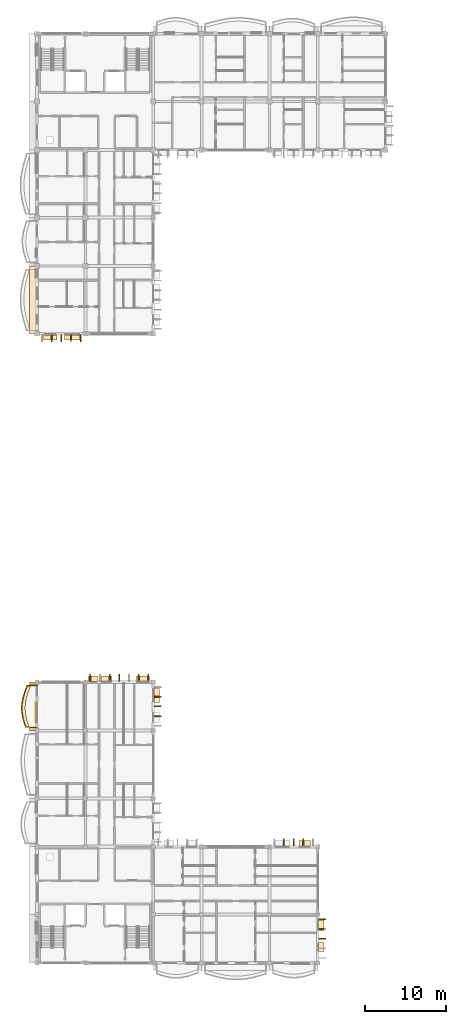
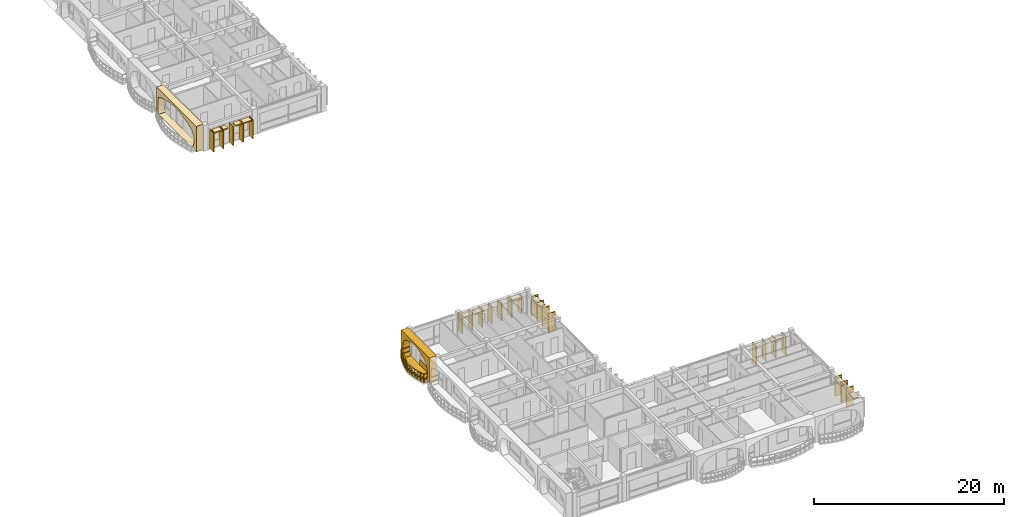
# One storey, part 41 of 54: 36 coverings, 1 railing.
"""IFC4 building model written with IfcOpenShell, lengths in metres."""

from ifc_helpers import new_model, si_unit, direction, frame, origin, origin_2d, place, context, subcontext, project, spatial, polyline, rectangle, outline, extrude, material, layer, layer_set, type_object, element, save


model = new_model("IFC4")

# Units and contexts
model_context = context("Model", 3, precision=1e-05, world=origin(), true_north=direction((0.0, 1.0)))
body_context = subcontext(model_context, "Body", "Model", "MODEL_VIEW")
ifc_project = project(units=[si_unit("LENGTHUNIT", "METRE"), si_unit("AREAUNIT", "SQUARE_METRE"), si_unit("VOLUMEUNIT", "CUBIC_METRE"), si_unit("PLANEANGLEUNIT", "RADIAN"), si_unit("MASSUNIT", "GRAM", prefix="KILO"), si_unit("THERMODYNAMICTEMPERATUREUNIT", "KELVIN")], contexts=[model_context])

# Site, building, storey
site_placement = place(None, origin())
site = spatial("IfcSite", under=ifc_project, at=site_placement, CompositionType="ELEMENT")
building_placement = place(site_placement, origin())
building = spatial("IfcBuilding", under=site, at=building_placement, Name="Thalorik Housing Commons", CompositionType="ELEMENT")
storey_placement = place(building_placement, frame((0.0, 0.0, 31.199951171875)))
storey = spatial("IfcBuildingStorey", under=building, at=storey_placement, Name="L09", CompositionType="ELEMENT", Elevation=31.199951171875)

# Coverings
ifc_material_1 = material(Name="Precast concrete C40/50", Category="concrete")
ifc_layer_1 = layer(ifc_material_1, 0.85009765625, Name="Precast concrete C40/50", Category="concrete")
ifc_layer_set_1 = layer_set([ifc_layer_1], Name="Precast concrete C40/50")
covering_type_1 = type_object("IfcCoveringType", Name="ARC-CLD-CUSH-850", PredefinedType="CLADDING", material=ifc_layer_set_1)
covering_1_placement = place(storey_placement, frame((7.8525390625, 90.60009765625, 0.0), z_axis=(0.0, 0.0, 1.0), x_axis=(0.0, -1.0, 0.0)))
element("IfcCovering", 1, at=covering_1_placement, inside=storey, type_object=covering_type_1, Name="L09 White Precast Curved Cushion Bay Frame 965", PredefinedType="CLADDING", context=body_context, shape_type="SweptSolid", body=[
    extrude(outline(polyline([(-4.199951171875, 0.0), (4.199951171875, 0.0), (4.199951171875, 3.300048828125), (-4.199951171875, 3.300048828125), (-4.199951171875, 0.0)]), holes=[polyline([(3.239990234375, 0.02490234375), (3.523193359375, 0.394287109375), (3.693359375, 0.76318359375), (3.75, 1.132568359375), (3.693359375, 1.501708984375), (3.523193359375, 1.870849609375), (3.239990234375, 2.239990234375), (2.655517578125, 2.4833984375), (2.07080078125, 2.6748046875), (1.486328125, 2.82958984375), (0.901611328125, 2.94482421875), (0.317138671875, 3.01611328125), (-0.267578125, 3.0400390625), (-0.85205078125, 3.01611328125), (-1.436767578125, 2.94482421875), (-2.021240234375, 2.82958984375), (-2.605712890625, 2.6748046875), (-3.1904296875, 2.4833984375), (-3.77490234375, 2.239990234375), (-3.86474609375, 1.870849609375), (-3.918701171875, 1.501708984375), (-3.9365234375, 1.132568359375), (-3.918701171875, 0.76318359375), (-3.86474609375, 0.394287109375), (-3.77490234375, 0.02490234375), (3.239990234375, 0.02490234375)])]), frame((0.0, 0.425048828125, 0.0), z_axis=(0.0, -1.0, 0.0), x_axis=(1.0, 0.0, 0.0)), (0.0, 0.0, 1.0), 0.85009765625),
])
covering_2_placement = place(storey_placement, frame((7.862548828125, 40.199951171875, 0.0), z_axis=(0.0, 0.0, 1.0), x_axis=(0.0, -1.0, 0.0)))
element("IfcCovering", 2, at=covering_2_placement, inside=storey, type_object=covering_type_1, Name="L09 White Precast Curved Cushion Bay Frame 4378", PredefinedType="CLADDING", context=body_context, shape_type="SweptSolid", body=[
    extrude(outline(polyline([(-3.0, 0.0), (3.0, 0.0), (3.0, 3.300048828125), (-3.0, 3.300048828125), (-3.0, 0.0)]), holes=[polyline([(2.054931640625, 0.02490234375), (2.330078125, 0.40087890625), (2.4951171875, 0.776611328125), (2.550048828125, 1.152587890625), (2.4951171875, 1.5283203125), (2.330078125, 1.904296875), (2.054931640625, 2.280029296875), (1.68115234375, 2.51123046875), (1.3076171875, 2.693115234375), (0.93359375, 2.840087890625), (0.56005859375, 2.94970703125), (0.186279296875, 3.01708984375), (-0.1875, 3.0400390625), (-0.561279296875, 3.01708984375), (-0.93505859375, 2.94970703125), (-1.30859375, 2.840087890625), (-1.6826171875, 2.693115234375), (-2.05615234375, 2.51123046875), (-2.429931640625, 2.280029296875), (-2.55029296875, 1.904296875), (-2.62255859375, 1.5283203125), (-2.646484375, 1.152587890625), (-2.62255859375, 0.776611328125), (-2.55029296875, 0.40087890625), (-2.429931640625, 0.02490234375), (2.054931640625, 0.02490234375)])]), frame((0.0, 0.425048828125, 0.0), z_axis=(0.0, -1.0, 0.0), x_axis=(1.0, 0.0, 0.0)), (0.0, 0.0, 1.0), 0.85009765625),
])
ifc_layer_2 = layer(ifc_material_1, 0.85009765625, Name="Precast concrete C40/50", Category="concrete")
ifc_layer_set_2 = layer_set([ifc_layer_2], Name="Precast concrete C40/50")
covering_type_2 = type_object("IfcCoveringType", Name="ARC-CLD-FIN-850", PredefinedType="CLADDING", material=ifc_layer_set_2)
for number, where, z_axis, x_axis, name in (
    (3, (9.0, 85.8525390625, 0.0400390625), (0.0, 0.0, 1.0), (1.0, 0.0, 0.0), "L09 Courtyard Precast Vertical Brise-Soleil Fin 967"),
    (4, (10.199951171875, 85.8525390625, 0.0400390625), (0.0, 0.0, 1.0), (1.0, 0.0, 0.0), "L09 Courtyard Precast Vertical Brise-Soleil Fin 968"),
    (5, (11.39990234375, 85.8525390625, 0.0400390625), (0.0, 0.0, 1.0), (1.0, 0.0, 0.0), "L09 Courtyard Precast Vertical Brise-Soleil Fin 969"),
    (6, (12.60009765625, 85.8525390625, 0.0400390625), (0.0, 0.0, 1.0), (1.0, 0.0, 0.0), "L09 Courtyard Precast Vertical Brise-Soleil Fin 970"),
    (7, (13.800048828125, 85.8525390625, 0.0400390625), (0.0, 0.0, 1.0), (1.0, 0.0, 0.0), "L09 Courtyard Precast Vertical Brise-Soleil Fin 971"),
):
    element("IfcCovering", number, at=place(storey_placement, frame(where, z_axis=z_axis, x_axis=x_axis)), inside=storey, type_object=covering_type_2, Name=name, PredefinedType="CLADDING", context=body_context, shape_type="SweptSolid", body=[
        extrude(rectangle(XDim=0.110107421875, YDim=0.85009765625, at=origin_2d()), origin(), (0.0, 0.0, 1.0), 2.445068359375),
    ])
for number, where, z_axis, x_axis, name in (
    (8, (23.33740234375, 39.0, 0.0400390625), (0.0, 0.0, 1.0), (0.0, 1.0, 0.0), "L09 Courtyard Precast Vertical Brise-Soleil Fin 4362"),
    (9, (23.33740234375, 40.199951171875, 0.0400390625), (0.0, 0.0, 1.0), (0.0, 1.0, 0.0), "L09 Courtyard Precast Vertical Brise-Soleil Fin 4363"),
    (10, (23.33740234375, 41.39990234375, 0.0400390625), (0.0, 0.0, 1.0), (0.0, 1.0, 0.0), "L09 Courtyard Precast Vertical Brise-Soleil Fin 4364"),
    (11, (23.33740234375, 42.60009765625, 0.0400390625), (0.0, 0.0, 1.0), (0.0, 1.0, 0.0), "L09 Courtyard Precast Vertical Brise-Soleil Fin 4365"),
):
    element("IfcCovering", number, at=place(storey_placement, frame(where, z_axis=z_axis, x_axis=x_axis)), inside=storey, type_object=covering_type_2, Name=name, PredefinedType="CLADDING", context=body_context, shape_type="SweptSolid", body=[
        extrude(rectangle(XDim=0.110107421875, YDim=0.85009765625, at=origin_2d()), origin(), (0.0, 0.0, 1.0), 2.4951171875),
    ])
for number, where, z_axis, x_axis, name in (
    (12, (22.199951171875, 43.737548828125, 0.0400390625), (0.0, 0.0, 1.0), (-1.0, 0.0, 0.0), "L09 Courtyard Precast Vertical Brise-Soleil Fin 4368"),
    (13, (21.0, 43.737548828125, 0.0400390625), (0.0, 0.0, 1.0), (-1.0, 0.0, 0.0), "L09 Courtyard Precast Vertical Brise-Soleil Fin 4369"),
    (14, (19.800048828125, 43.737548828125, 0.0400390625), (0.0, 0.0, 1.0), (-1.0, 0.0, 0.0), "L09 Courtyard Precast Vertical Brise-Soleil Fin 4370"),
    (15, (18.60009765625, 43.737548828125, 0.0400390625), (0.0, 0.0, 1.0), (-1.0, 0.0, 0.0), "L09 Courtyard Precast Vertical Brise-Soleil Fin 4371"),
    (16, (17.39990234375, 43.737548828125, 0.0400390625), (0.0, 0.0, 1.0), (-1.0, 0.0, 0.0), "L09 Courtyard Precast Vertical Brise-Soleil Fin 4372"),
    (17, (16.199951171875, 43.737548828125, 0.0400390625), (0.0, 0.0, 1.0), (-1.0, 0.0, 0.0), "L09 Courtyard Precast Vertical Brise-Soleil Fin 4373"),
    (18, (15.0, 43.737548828125, 0.0400390625), (0.0, 0.0, 1.0), (-1.0, 0.0, 0.0), "L09 Courtyard Precast Vertical Brise-Soleil Fin 4374"),
):
    element("IfcCovering", number, at=place(storey_placement, frame(where, z_axis=z_axis, x_axis=x_axis)), inside=storey, type_object=covering_type_2, Name=name, PredefinedType="CLADDING", context=body_context, shape_type="SweptSolid", body=[
        extrude(rectangle(XDim=0.110107421875, YDim=0.85009765625, at=origin_2d()), origin(), (0.0, 0.0, 1.0), 2.294921875),
    ])
for number, where, z_axis, x_axis, name in (
    (19, (43.737548828125, 11.39990234375, 0.0400390625), (0.0, 0.0, 1.0), (0.0, 1.0, 0.0), "L09 Courtyard Precast Vertical Brise-Soleil Fin 4396"),
    (20, (43.737548828125, 12.60009765625, 0.0400390625), (0.0, 0.0, 1.0), (0.0, 1.0, 0.0), "L09 Courtyard Precast Vertical Brise-Soleil Fin 4397"),
    (21, (43.737548828125, 13.800048828125, 0.0400390625), (0.0, 0.0, 1.0), (0.0, 1.0, 0.0), "L09 Courtyard Precast Vertical Brise-Soleil Fin 4398"),
):
    element("IfcCovering", number, at=place(storey_placement, frame(where, z_axis=z_axis, x_axis=x_axis)), inside=storey, type_object=covering_type_2, Name=name, PredefinedType="CLADDING", context=body_context, shape_type="SweptSolid", body=[
        extrude(rectangle(XDim=0.110107421875, YDim=0.85009765625, at=origin_2d()), origin(), (0.0, 0.0, 1.0), 2.4951171875),
    ])
for number, where, z_axis, x_axis, name in (
    (22, (42.60009765625, 23.33740234375, 0.0400390625), (0.0, 0.0, 1.0), (-1.0, 0.0, 0.0), "L09 Courtyard Precast Vertical Brise-Soleil Fin 4401"),
    (23, (41.39990234375, 23.33740234375, 0.0400390625), (0.0, 0.0, 1.0), (-1.0, 0.0, 0.0), "L09 Courtyard Precast Vertical Brise-Soleil Fin 4402"),
    (24, (40.199951171875, 23.33740234375, 0.0400390625), (0.0, 0.0, 1.0), (-1.0, 0.0, 0.0), "L09 Courtyard Precast Vertical Brise-Soleil Fin 4403"),
    (25, (39.0, 23.33740234375, 0.0400390625), (0.0, 0.0, 1.0), (-1.0, 0.0, 0.0), "L09 Courtyard Precast Vertical Brise-Soleil Fin 4404"),
):
    element("IfcCovering", number, at=place(storey_placement, frame(where, z_axis=z_axis, x_axis=x_axis)), inside=storey, type_object=covering_type_2, Name=name, PredefinedType="CLADDING", context=body_context, shape_type="SweptSolid", body=[
        extrude(rectangle(XDim=0.110107421875, YDim=0.85009765625, at=origin_2d()), origin(), (0.0, 0.0, 1.0), 2.445068359375),
    ])
ifc_layer_3 = layer(ifc_material_1, 0.64990234375, Name="Precast concrete C40/50", Category="concrete")
ifc_layer_set_3 = layer_set([ifc_layer_3], Name="Precast concrete C40/50")
covering_type_3 = type_object("IfcCoveringType", Name="ARC-CLD-HOOD-650", PredefinedType="CLADDING", material=ifc_layer_set_3)
covering_3_placement = place(storey_placement, frame((10.030029296875, 85.952392578125, 2.240234375), z_axis=(0.0, 0.0, 1.0), x_axis=(1.0, 0.0, 0.0)))
element("IfcCovering", 26, at=covering_3_placement, inside=storey, type_object=covering_type_3, Name="L09 Courtyard Precast Window Sun-Hood 972", PredefinedType="CLADDING", context=body_context, shape_type="SweptSolid", body=[
    extrude(rectangle(XDim=1.639892578125, YDim=0.64990234375, at=origin_2d()), origin(), (0.0, 0.0, 1.0), 0.139892578125),
])
covering_4_placement = place(storey_placement, frame((12.77001953125, 85.952392578125, 2.240234375), z_axis=(0.0, 0.0, 1.0), x_axis=(1.0, 0.0, 0.0)))
element("IfcCovering", 27, at=covering_4_placement, inside=storey, type_object=covering_type_3, Name="L09 Courtyard Precast Window Sun-Hood 973", PredefinedType="CLADDING", context=body_context, shape_type="SweptSolid", body=[
    extrude(rectangle(XDim=1.989990234375, YDim=0.64990234375, at=origin_2d()), origin(), (0.0, 0.0, 1.0), 0.139892578125),
])
covering_5_placement = place(storey_placement, frame((23.237548828125, 41.570068359375, 2.31005859375), z_axis=(0.0, 0.0, 1.0), x_axis=(0.0, 1.0, 0.0)))
element("IfcCovering", 28, at=covering_5_placement, inside=storey, type_object=covering_type_3, Name="L09 Courtyard Precast Window Sun-Hood 4367", PredefinedType="CLADDING", context=body_context, shape_type="SweptSolid", body=[
    extrude(rectangle(XDim=1.719970703125, YDim=0.64990234375, at=origin_2d()), origin(), (0.0, 0.0, 1.0), 0.139892578125),
])
covering_6_placement = place(storey_placement, frame((21.53271484375, 43.637451171875, 2.169921875), z_axis=(0.0, 0.0, 1.0), x_axis=(-1.0, 0.0, 0.0)))
element("IfcCovering", 29, at=covering_6_placement, inside=storey, type_object=covering_type_3, Name="L09 Courtyard Precast Window Sun-Hood 4375", PredefinedType="CLADDING", context=body_context, shape_type="SweptSolid", body=[
    extrude(rectangle(XDim=1.659912109375, YDim=0.64990234375, at=origin_2d()), origin(), (0.0, 0.0, 1.0), 0.139892578125),
])
covering_7_placement = place(storey_placement, frame((17.030029296875, 43.637451171875, 1.990234375), z_axis=(0.0, 0.0, 1.0), x_axis=(-1.0, 0.0, 0.0)))
element("IfcCovering", 30, at=covering_7_placement, inside=storey, type_object=covering_type_3, Name="L09 Courtyard Precast Window Sun-Hood 4376", PredefinedType="CLADDING", context=body_context, shape_type="SweptSolid", body=[
    extrude(rectangle(XDim=1.2900390625, YDim=0.64990234375, at=origin_2d()), origin(), (0.0, 0.0, 1.0), 0.139892578125),
])
for number, where, z_axis, x_axis, name in (
    (31, (15.3349609375, 43.637451171875, 1.990234375), (0.0, 0.0, 1.0), (-1.0, 0.0, 0.0), "L09 Courtyard Precast Window Sun-Hood 4377"),
    (32, (43.637451171875, 10.353759765625, 1.990234375), (0.0, 0.0, 1.0), (0.0, 1.0, 0.0), "L09 Courtyard Precast Window Sun-Hood 4399"),
):
    element("IfcCovering", number, at=place(storey_placement, frame(where, z_axis=z_axis, x_axis=x_axis)), inside=storey, type_object=covering_type_3, Name=name, PredefinedType="CLADDING", context=body_context, shape_type="SweptSolid", body=[
        extrude(rectangle(XDim=1.139892578125, YDim=0.64990234375, at=origin_2d()), origin(), (0.0, 0.0, 1.0), 0.139892578125),
    ])
covering_8_placement = place(storey_placement, frame((43.637451171875, 13.163818359375, 2.09033203125), z_axis=(0.0, 0.0, 1.0), x_axis=(0.0, 1.0, 0.0)))
element("IfcCovering", 33, at=covering_8_placement, inside=storey, type_object=covering_type_3, Name="L09 Courtyard Precast Window Sun-Hood 4400", PredefinedType="CLADDING", context=body_context, shape_type="SweptSolid", body=[
    extrude(rectangle(XDim=1.489990234375, YDim=0.64990234375, at=origin_2d()), origin(), (0.0, 0.0, 1.0), 0.139892578125),
])
covering_9_placement = place(storey_placement, frame((41.570068359375, 23.237548828125, 2.2900390625), z_axis=(0.0, 0.0, 1.0), x_axis=(-1.0, 0.0, 0.0)))
element("IfcCovering", 34, at=covering_9_placement, inside=storey, type_object=covering_type_3, Name="L09 Courtyard Precast Window Sun-Hood 4406", PredefinedType="CLADDING", context=body_context, shape_type="SweptSolid", body=[
    extrude(rectangle(XDim=1.43994140625, YDim=0.64990234375, at=origin_2d()), origin(), (0.0, 0.0, 1.0), 0.139892578125),
])
ifc_material_2 = material(Name="Mineral ochre architectural terracotta panel", Category="masonry")
ifc_layer_4 = layer(ifc_material_2, 0.06494140625, Name="Mineral ochre architectural terracotta panel", Category="masonry")
ifc_layer_set_4 = layer_set([ifc_layer_4], Name="Mineral ochre architectural terracotta panel")
covering_type_4 = type_object("IfcCoveringType", Name="ARC-CLD-YEL-65", PredefinedType="CLADDING", material=ifc_layer_set_4)
covering_10_placement = place(storey_placement, frame((8.25, 39.43505859375, 0.05029296875), z_axis=(0.0, 0.0, 1.0), x_axis=(0.0, -1.0, 0.0)))
element("IfcCovering", 35, at=covering_10_placement, inside=storey, type_object=covering_type_4, Name="L09 De Stijl Recessed Window Spandrel 4379", PredefinedType="CLADDING", context=body_context, shape_type="SweptSolid", body=[
    extrude(rectangle(XDim=2.47998046875, YDim=0.06494140625, at=origin_2d()), origin(), (0.0, 0.0, 1.0), 0.699951171875),
])
ifc_material_3 = material(Name="Planted vegetated substrate and terracotta trough", Category="masonry")
ifc_layer_5 = layer(ifc_material_3, 0.340087890625, Name="Planted vegetated substrate and terracotta trough", Category="masonry")
ifc_layer_set_5 = layer_set([ifc_layer_5], Name="Planted vegetated substrate and terracotta trough")
covering_type_5 = type_object("IfcCoveringType", Name="ARC-COV-PLANTER", PredefinedType="USERDEFINED", material=ifc_layer_set_5)
covering_11_placement = place(storey_placement, origin())
element("IfcCovering", 36, at=covering_11_placement, inside=storey, type_object=covering_type_5, Name="L09 Balcony Slab-Edge Planted Trough 5635", ObjectType="PLANTER", PredefinedType="USERDEFINED", context=body_context, shape_type="SweptSolid", body=[
    extrude(outline(polyline([(7.219482421875, 42.780029296875), (7.060791015625, 42.35009765625), (6.90869140625, 41.919921875), (6.773681640625, 41.489990234375), (6.6640625, 41.06005859375), (6.58740234375, 40.6298828125), (6.548583984375, 40.199951171875), (6.549072265625, 39.77001953125), (6.588623046875, 39.340087890625), (6.66357421875, 38.909912109375), (6.768310546875, 38.47998046875), (6.894775390625, 38.050048828125), (7.03369140625, 37.6201171875), (7.41357421875, 37.6201171875), (7.274658203125, 38.050048828125), (7.148193359375, 38.47998046875), (7.043701171875, 38.909912109375), (6.968505859375, 39.340087890625), (6.92919921875, 39.77001953125), (6.928466796875, 40.199951171875), (6.967529296875, 40.6298828125), (7.044189453125, 41.06005859375), (7.153564453125, 41.489990234375), (7.288818359375, 41.919921875), (7.44091796875, 42.35009765625), (7.599609375, 42.780029296875), (7.219482421875, 42.780029296875)])), origin(), (0.0, 0.0, 1.0), 0.340087890625),
])

# Railing
ifc_material_4 = material(Name="Steel S355", Category="steel")
railing_type = type_object("IfcRailingType", Name="ARC-RL-BAL-115", PredefinedType="BALUSTRADE", material=ifc_material_4)
railing_placement = place(storey_placement, frame((8.39990234375, 42.780029296875, 0.0)))
element("IfcRailing", 37, at=railing_placement, inside=storey, type_object=railing_type, Name="L09 Cushion Balcony Guardrail 319", PredefinedType="BALUSTRADE", context=body_context, shape_type="SweptSolid", body=[
    extrude(rectangle(XDim=0.050048828125, YDim=0.050048828125, at=origin_2d()), frame((0.0, 0.0, 1.125), z_axis=(-1.0, 0.0, 0.0), x_axis=(0.0, -1.0, 0.0)), (0.0, 0.0, 1.0), 1.250244140625),
    extrude(rectangle(XDim=0.050048828125, YDim=0.050048828125, at=origin_2d()), frame((0.0, 0.0, 0.5498046875), z_axis=(-1.0, 0.0, 0.0), x_axis=(0.0, -1.0, 0.0)), (0.0, 0.0, 1.0), 1.250244140625),
    extrude(rectangle(XDim=0.050048828125, YDim=0.050048828125, at=origin_2d()), frame((-1.250244140625, 0.0, 1.125), z_axis=(-0.346273105467, -0.938133751887, 0.0), x_axis=(0.938133751887, -0.346273105467, 0.0)), (0.0, 0.0, 1.0), 0.458251953125),
    extrude(rectangle(XDim=0.050048828125, YDim=0.050048828125, at=origin_2d()), frame((-1.250244140625, 0.0, 0.5498046875), z_axis=(-0.346273105467, -0.938133751887, 0.0), x_axis=(0.938133751887, -0.346273105467, 0.0)), (0.0, 0.0, 1.0), 0.458251953125),
    extrude(rectangle(XDim=0.050048828125, YDim=0.050048828125, at=origin_2d()), frame((-1.408935546875, -0.429931640625, 1.125), z_axis=(-0.333351847239, -0.942802495723, 0.0), x_axis=(0.942802495723, -0.333351847239, 0.0)), (0.0, 0.0, 1.0), 0.456298828125),
    extrude(rectangle(XDim=0.050048828125, YDim=0.050048828125, at=origin_2d()), frame((-1.408935546875, -0.429931640625, 0.5498046875), z_axis=(-0.333351847239, -0.942802495723, 0.0), x_axis=(0.942802495723, -0.333351847239, 0.0)), (0.0, 0.0, 1.0), 0.456298828125),
    extrude(rectangle(XDim=0.050048828125, YDim=0.050048828125, at=origin_2d()), frame((-1.56103515625, -0.860107421875, 1.125), z_axis=(-0.300094208559, -0.953909569084, 0.0), x_axis=(0.953909569084, -0.300094208559, 0.0)), (0.0, 0.0, 1.0), 0.45068359375),
    extrude(rectangle(XDim=0.050048828125, YDim=0.050048828125, at=origin_2d()), frame((-1.56103515625, -0.860107421875, 0.5498046875), z_axis=(-0.300094208559, -0.953909569084, 0.0), x_axis=(0.953909569084, -0.300094208559, 0.0)), (0.0, 0.0, 1.0), 0.45068359375),
    extrude(rectangle(XDim=0.050048828125, YDim=0.050048828125, at=origin_2d()), frame((-1.6962890625, -1.2900390625, 1.125), z_axis=(-0.247064490889, -0.968999038876, 0.0), x_axis=(0.968999038876, -0.247064490889, 0.0)), (0.0, 0.0, 1.0), 0.443603515625),
    extrude(rectangle(XDim=0.050048828125, YDim=0.050048828125, at=origin_2d()), frame((-1.6962890625, -1.2900390625, 0.5498046875), z_axis=(-0.247064490889, -0.968999038876, 0.0), x_axis=(0.968999038876, -0.247064490889, 0.0)), (0.0, 0.0, 1.0), 0.443603515625),
    extrude(rectangle(XDim=0.050048828125, YDim=0.050048828125, at=origin_2d()), frame((-1.805908203125, -1.719970703125, 1.125), z_axis=(-0.174900925043, -0.984586038099, 0.0), x_axis=(0.984586038099, -0.174900925043, 0.0)), (0.0, 0.0, 1.0), 0.43701171875),
    extrude(rectangle(XDim=0.050048828125, YDim=0.050048828125, at=origin_2d()), frame((-1.805908203125, -1.719970703125, 0.5498046875), z_axis=(-0.174900925043, -0.984586038099, 0.0), x_axis=(0.984586038099, -0.174900925043, 0.0)), (0.0, 0.0, 1.0), 0.43701171875),
    extrude(rectangle(XDim=0.050048828125, YDim=0.050048828125, at=origin_2d()), frame((-1.88232421875, -2.150146484375, 1.125), z_axis=(-0.090484755539, -0.995897840652, 0.0), x_axis=(0.995897840652, -0.090484755539, 0.0)), (0.0, 0.0, 1.0), 0.431640625),
    extrude(rectangle(XDim=0.050048828125, YDim=0.050048828125, at=origin_2d()), frame((-1.88232421875, -2.150146484375, 0.5498046875), z_axis=(-0.090484755539, -0.995897840652, 0.0), x_axis=(0.995897840652, -0.090484755539, 0.0)), (0.0, 0.0, 1.0), 0.431640625),
    extrude(rectangle(XDim=0.050048828125, YDim=0.050048828125, at=origin_2d()), frame((-1.92138671875, -2.580078125, 1.125), z_axis=(0.001135717609, -0.999999355073, 0.0), x_axis=(0.999999355073, 0.001135717609, 0.0)), (0.0, 0.0, 1.0), 0.429931640625),
    extrude(rectangle(XDim=0.050048828125, YDim=0.050048828125, at=origin_2d()), frame((-1.92138671875, -2.580078125, 0.5498046875), z_axis=(0.001135717609, -0.999999355073, 0.0), x_axis=(0.999999355073, 0.001135717609, 0.0)), (0.0, 0.0, 1.0), 0.429931640625),
    extrude(rectangle(XDim=0.050048828125, YDim=0.050048828125, at=origin_2d()), frame((-1.9208984375, -3.010009765625, 1.125), z_axis=(0.091606381543, -0.995795295661, 0.0), x_axis=(0.995795295661, 0.091606381543, 0.0)), (0.0, 0.0, 1.0), 0.431640625),
    extrude(rectangle(XDim=0.050048828125, YDim=0.050048828125, at=origin_2d()), frame((-1.9208984375, -3.010009765625, 0.5498046875), z_axis=(0.091606381543, -0.995795295661, 0.0), x_axis=(0.995795295661, 0.091606381543, 0.0)), (0.0, 0.0, 1.0), 0.431640625),
    extrude(rectangle(XDim=0.050048828125, YDim=0.050048828125, at=origin_2d()), frame((-1.88134765625, -3.43994140625, 1.125), z_axis=(0.171647909566, -0.985158360438, 0.0), x_axis=(0.985158360438, 0.171647909566, 0.0)), (0.0, 0.0, 1.0), 0.436767578125),
    extrude(rectangle(XDim=0.050048828125, YDim=0.050048828125, at=origin_2d()), frame((-1.88134765625, -3.43994140625, 0.5498046875), z_axis=(0.171647909566, -0.985158360438, 0.0), x_axis=(0.985158360438, 0.171647909566, 0.0)), (0.0, 0.0, 1.0), 0.436767578125),
    extrude(rectangle(XDim=0.050048828125, YDim=0.050048828125, at=origin_2d()), frame((-1.806396484375, -3.8701171875, 1.125), z_axis=(0.236689448034, -0.971585356615, 0.0), x_axis=(0.971585356615, 0.236689448034, 0.0)), (0.0, 0.0, 1.0), 0.442626953125),
    extrude(rectangle(XDim=0.050048828125, YDim=0.050048828125, at=origin_2d()), frame((-1.806396484375, -3.8701171875, 0.5498046875), z_axis=(0.236689448034, -0.971585356615, 0.0), x_axis=(0.971585356615, 0.236689448034, 0.0)), (0.0, 0.0, 1.0), 0.442626953125),
    extrude(rectangle(XDim=0.050048828125, YDim=0.050048828125, at=origin_2d()), frame((-1.70166015625, -4.300048828125, 1.125), z_axis=(0.282195818294, -0.959356826284, 0.0), x_axis=(0.959356826284, 0.282195818294, 0.0)), (0.0, 0.0, 1.0), 0.4482421875),
    extrude(rectangle(XDim=0.050048828125, YDim=0.050048828125, at=origin_2d()), frame((-1.70166015625, -4.300048828125, 0.5498046875), z_axis=(0.282195818294, -0.959356826284, 0.0), x_axis=(0.959356826284, 0.282195818294, 0.0)), (0.0, 0.0, 1.0), 0.4482421875),
    extrude(rectangle(XDim=0.050048828125, YDim=0.050048828125, at=origin_2d()), frame((-1.5751953125, -4.72998046875, 1.125), z_axis=(0.307460592586, -0.951560814665, 0.0), x_axis=(0.951560814665, 0.307460592586, 0.0)), (0.0, 0.0, 1.0), 0.451904296875),
    extrude(rectangle(XDim=0.050048828125, YDim=0.050048828125, at=origin_2d()), frame((-1.5751953125, -4.72998046875, 0.5498046875), z_axis=(0.307460592586, -0.951560814665, 0.0), x_axis=(0.951560814665, 0.307460592586, 0.0)), (0.0, 0.0, 1.0), 0.451904296875),
    extrude(rectangle(XDim=0.050048828125, YDim=0.050048828125, at=origin_2d()), frame((-1.436279296875, -5.159912109375, 1.125), z_axis=(1.0, 0.0, 0.0), x_axis=(0.0, 1.0, 0.0)), (0.0, 0.0, 1.0), 1.436279296875),
    extrude(rectangle(XDim=0.050048828125, YDim=0.050048828125, at=origin_2d()), frame((-1.436279296875, -5.159912109375, 0.5498046875), z_axis=(1.0, 0.0, 0.0), x_axis=(0.0, 1.0, 0.0)), (0.0, 0.0, 1.0), 1.436279296875),
    extrude(rectangle(XDim=0.0419921875, YDim=0.0419921875, at=origin_2d()), origin(), (0.0, 0.0, 1.0), 1.099853515625),
    extrude(rectangle(XDim=0.0419921875, YDim=0.0419921875, at=origin_2d()), frame((-1.250244140625, 0.0, 0.0)), (0.0, 0.0, 1.0), 1.099853515625),
    extrude(rectangle(XDim=0.0419921875, YDim=0.0419921875, at=origin_2d()), frame((-1.408935546875, -0.429931640625, 0.0)), (0.0, 0.0, 1.0), 1.099853515625),
    extrude(rectangle(XDim=0.0419921875, YDim=0.0419921875, at=origin_2d()), frame((-1.56103515625, -0.860107421875, 0.0)), (0.0, 0.0, 1.0), 1.099853515625),
    extrude(rectangle(XDim=0.0419921875, YDim=0.0419921875, at=origin_2d()), frame((-1.6962890625, -1.2900390625, 0.0)), (0.0, 0.0, 1.0), 1.099853515625),
    extrude(rectangle(XDim=0.0419921875, YDim=0.0419921875, at=origin_2d()), frame((-1.805908203125, -1.719970703125, 0.0)), (0.0, 0.0, 1.0), 1.099853515625),
    extrude(rectangle(XDim=0.0419921875, YDim=0.0419921875, at=origin_2d()), frame((-1.88232421875, -2.150146484375, 0.0)), (0.0, 0.0, 1.0), 1.099853515625),
    extrude(rectangle(XDim=0.0419921875, YDim=0.0419921875, at=origin_2d()), frame((-1.92138671875, -2.580078125, 0.0)), (0.0, 0.0, 1.0), 1.099853515625),
    extrude(rectangle(XDim=0.0419921875, YDim=0.0419921875, at=origin_2d()), frame((-1.9208984375, -3.010009765625, 0.0)), (0.0, 0.0, 1.0), 1.099853515625),
    extrude(rectangle(XDim=0.0419921875, YDim=0.0419921875, at=origin_2d()), frame((-1.88134765625, -3.43994140625, 0.0)), (0.0, 0.0, 1.0), 1.099853515625),
    extrude(rectangle(XDim=0.0419921875, YDim=0.0419921875, at=origin_2d()), frame((-1.806396484375, -3.8701171875, 0.0)), (0.0, 0.0, 1.0), 1.099853515625),
    extrude(rectangle(XDim=0.0419921875, YDim=0.0419921875, at=origin_2d()), frame((-1.70166015625, -4.300048828125, 0.0)), (0.0, 0.0, 1.0), 1.099853515625),
    extrude(rectangle(XDim=0.0419921875, YDim=0.0419921875, at=origin_2d()), frame((-1.5751953125, -4.72998046875, 0.0)), (0.0, 0.0, 1.0), 1.099853515625),
    extrude(rectangle(XDim=0.0419921875, YDim=0.0419921875, at=origin_2d()), frame((-1.436279296875, -5.159912109375, 0.0)), (0.0, 0.0, 1.0), 1.099853515625),
    extrude(rectangle(XDim=0.0419921875, YDim=0.0419921875, at=origin_2d()), frame((0.0, -5.159912109375, 0.0)), (0.0, 0.0, 1.0), 1.099853515625),
])

save(model, "model.ifc")
